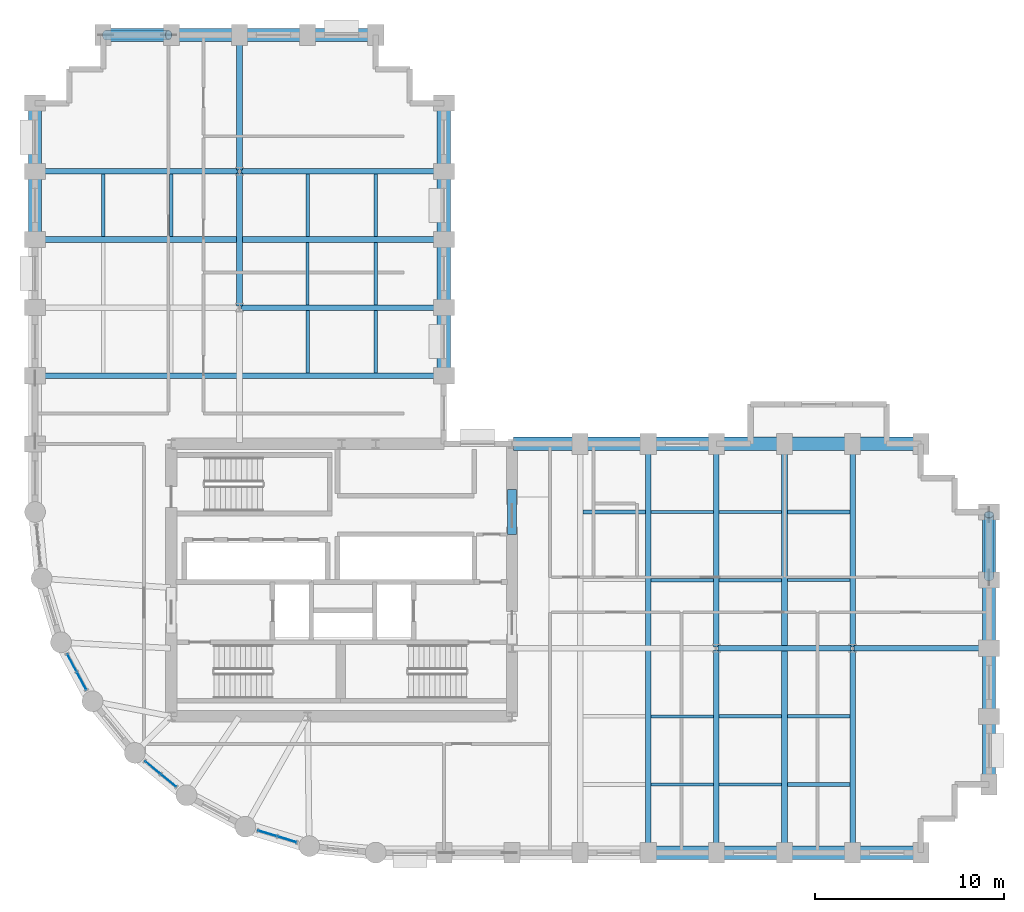
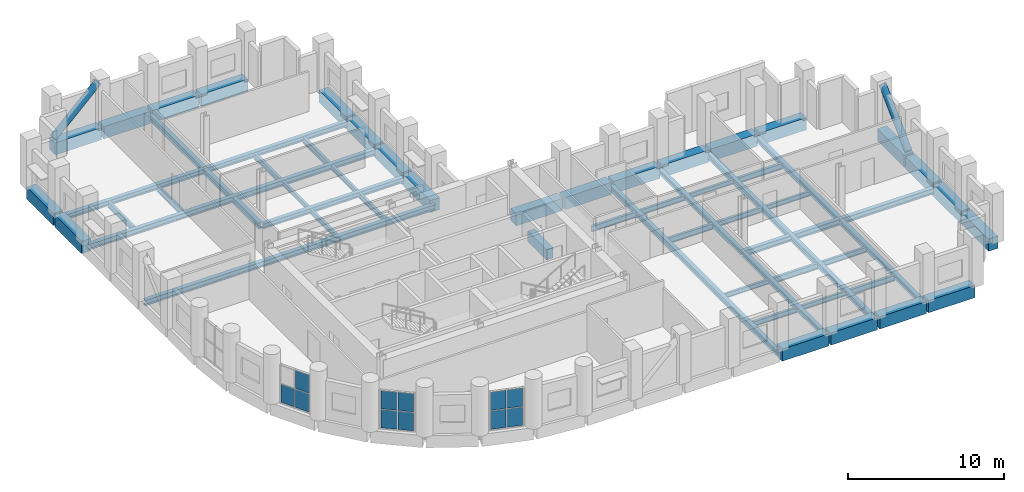
# One storey, part 6 of 13: 61 beams, 11 plates, 2 members, 3 elements without a shape of their own.
"""IFC4 building model written with IfcOpenShell, lengths in metres."""

from ifc_helpers import new_model, si_unit, direction, frame, origin, origin_2d, place, context, subcontext, project, spatial, rectangle, hollow_circle, i_section, extrude, material, layer, layer_set, material_profile, profile_set, type_object, element, aggregate, save


model = new_model("IFC4")

# Units and contexts
model_context = context("Model", 3, precision=1e-05, world=origin(), true_north=direction((0.0, 1.0)))
body_context = subcontext(model_context, "Body", "Model", "MODEL_VIEW")
ifc_project = project(units=[si_unit("LENGTHUNIT", "METRE"), si_unit("AREAUNIT", "SQUARE_METRE"), si_unit("VOLUMEUNIT", "CUBIC_METRE"), si_unit("PLANEANGLEUNIT", "RADIAN"), si_unit("MASSUNIT", "GRAM", prefix="KILO")], contexts=[model_context])

# Site, building, storey
site_placement = place(None, origin())
site = spatial("IfcSite", under=ifc_project, at=site_placement, CompositionType="ELEMENT")
building_placement = place(site_placement, origin())
building = spatial("IfcBuilding", under=site, at=building_placement, Name="Solnavia Interchange Tower", CompositionType="ELEMENT")
storey_placement = place(building_placement, frame((0.0, 0.0, 111.300048828125)))
storey = spatial("IfcBuildingStorey", under=building, at=storey_placement, Name="L27", CompositionType="ELEMENT", Elevation=111.300048828125)

# Beams
ifc_material_1 = material(Name="Concrete C50/60", Category="concrete")
ifc_material_profile_1 = material_profile(ifc_material_1, rectangle(XDim=0.5, YDim=0.800048828125, at=origin_2d()), Name="RC 500x800")
ifc_profile_set_1 = profile_set([ifc_material_profile_1], Name="Concrete C50/60")
beam_type_1 = type_object("IfcBeamType", Name="Beam-Coupling-RC500x800", PredefinedType="LINTEL", material=ifc_profile_set_1)
beam_1_placement = place(storey_placement, frame((32.39990234375, 20.39990234375, -0.400146484375), z_axis=(0.0, 1.0, 0.0), x_axis=(-1.0, 0.0, 0.0)))
element("IfcBeam", 1, at=beam_1_placement, inside=storey, type_object=beam_type_1, Name="CPB-L27-E2 Core coupling lintel beam", PredefinedType="LINTEL", context=body_context, shape_type="SweptSolid", body=[
    extrude(rectangle(XDim=0.5, YDim=0.800048828125, at=origin_2d()), origin(), (0.0, 0.0, 1.0), 2.400146484375),
])
ifc_material_2 = material(Name="Steel S460", Category="steel")
ifc_material_profile_2 = material_profile(ifc_material_2, i_section(OverallWidth=0.300048828125, OverallDepth=0.449951171875, WebThickness=0.013916015625, FlangeThickness=0.02587890625, FilletRadius=0.027099609375, at=origin_2d()), Name="HEB 450")
ifc_profile_set_2 = profile_set([ifc_material_profile_2], Name="Steel S460")
beam_type_2 = type_object("IfcBeamType", Name="Beam-Girder-HEB450", PredefinedType="BEAM", material=ifc_profile_set_2)
for number, where, z_axis, x_axis, name in (
    (2, (43.280029296875, 14.39990234375, -0.47509765625), (1.0, 0.0, 0.0), (0.0, 1.0, 0.0), "GRD-L27-ES02 East wing spine girder"),
    (3, (50.47998046875, 14.39990234375, -0.47509765625), (1.0, 0.0, 0.0), (0.0, 1.0, 0.0), "GRD-L27-ES03 East wing spine girder"),
    (4, (18.0, 32.47998046875, -0.47509765625), (0.0, 1.0, 0.0), (-1.0, 0.0, 0.0), "GRD-L27-NS12 North wing spine girder"),
    (5, (18.0, 39.679931640625, -0.47509765625), (0.0, 1.0, 0.0), (-1.0, 0.0, 0.0), "GRD-L27-NS13 North wing spine girder"),
):
    element("IfcBeam", number, at=place(storey_placement, frame(where, z_axis=z_axis, x_axis=x_axis)), inside=storey, type_object=beam_type_2, Name=name, PredefinedType="BEAM", context=body_context, shape_type="SweptSolid", body=[
        extrude(i_section(OverallWidth=0.300048828125, OverallDepth=0.449951171875, WebThickness=0.013916015625, FlangeThickness=0.02587890625, FilletRadius=0.027099609375, at=origin_2d()), origin(), (0.0, 0.0, 1.0), 7.0400390625),
    ])
ifc_material_3 = material(Name="Steel S355", Category="steel")
ifc_material_profile_3 = material_profile(ifc_material_3, i_section(OverallWidth=0.169921875, OverallDepth=0.360107421875, WebThickness=0.008056640625, FlangeThickness=0.0126953125, FilletRadius=0.01806640625, at=origin_2d()), Name="IPE 360")
ifc_profile_set_3 = profile_set([ifc_material_profile_3], Name="Steel S355")
beam_type_3 = type_object("IfcBeamType", Name="Beam-Joist-IPE360", PredefinedType="JOIST", material=ifc_profile_set_3)
beam_2_placement = place(storey_placement, frame((43.35009765625, 7.199951171875, -0.429931640625), z_axis=(1.0, 0.0, 0.0), x_axis=(0.0, 1.0, 0.0)))
element("IfcBeam", 6, at=beam_2_placement, inside=storey, type_object=beam_type_3, Name="JST-L27-E03 East wing secondary joist", PredefinedType="JOIST", context=body_context, shape_type="SweptSolid", body=[
    extrude(i_section(OverallWidth=0.169921875, OverallDepth=0.360107421875, WebThickness=0.008056640625, FlangeThickness=0.0126953125, FilletRadius=0.01806640625, at=origin_2d()), origin(), (0.0, 0.0, 1.0), 3.2998046875),
])
for number, where, z_axis, x_axis, name in (
    (7, (39.75, 10.800048828125, -0.429931640625), (1.0, 0.0, 0.0), (0.0, 1.0, 0.0), "JST-L27-E06 East wing secondary joist"),
    (8, (46.949951171875, 18.0, -0.429931640625), (1.0, 0.0, 0.0), (0.0, 1.0, 0.0), "JST-L27-E12 East wing secondary joist"),
):
    element("IfcBeam", number, at=place(storey_placement, frame(where, z_axis=z_axis, x_axis=x_axis)), inside=storey, type_object=beam_type_3, Name=name, PredefinedType="JOIST", context=body_context, shape_type="SweptSolid", body=[
        extrude(i_section(OverallWidth=0.169921875, OverallDepth=0.360107421875, WebThickness=0.008056640625, FlangeThickness=0.0126953125, FilletRadius=0.01806640625, at=origin_2d()), origin(), (0.0, 0.0, 1.0), 3.300048828125),
    ])
beam_3_placement = place(storey_placement, frame((43.35009765625, 21.60009765625, -0.429931640625), z_axis=(1.0, 0.0, 0.0), x_axis=(0.0, 1.0, 0.0)))
element("IfcBeam", 9, at=beam_3_placement, inside=storey, type_object=beam_type_3, Name="JST-L27-E15 East wing secondary joist", PredefinedType="JOIST", context=body_context, shape_type="SweptSolid", body=[
    extrude(i_section(OverallWidth=0.169921875, OverallDepth=0.360107421875, WebThickness=0.008056640625, FlangeThickness=0.0126953125, FilletRadius=0.01806640625, at=origin_2d()), origin(), (0.0, 0.0, 1.0), 3.2998046875),
])
for number, where, z_axis, x_axis, name in (
    (10, (21.60009765625, 32.550048828125, -0.429931640625), (0.0, 1.0, 0.0), (-1.0, 0.0, 0.0), "JST-L27-N24 North wing secondary joist"),
    (11, (25.199951171875, 32.550048828125, -0.429931640625), (0.0, 1.0, 0.0), (-1.0, 0.0, 0.0), "JST-L27-N27 North wing secondary joist"),
):
    element("IfcBeam", number, at=place(storey_placement, frame(where, z_axis=z_axis, x_axis=x_axis)), inside=storey, type_object=beam_type_3, Name=name, PredefinedType="JOIST", context=body_context, shape_type="SweptSolid", body=[
        extrude(i_section(OverallWidth=0.169921875, OverallDepth=0.360107421875, WebThickness=0.008056640625, FlangeThickness=0.0126953125, FilletRadius=0.01806640625, at=origin_2d()), origin(), (0.0, 0.0, 1.0), 3.300048828125),
    ])
ifc_material_profile_4 = material_profile(ifc_material_3, i_section(OverallWidth=0.179931640625, OverallDepth=0.39990234375, WebThickness=0.008544921875, FlangeThickness=0.013427734375, FilletRadius=0.02099609375, at=origin_2d()), Name="IPE 400")
ifc_profile_set_4 = profile_set([ifc_material_profile_4], Name="Steel S355")
beam_type_4 = type_object("IfcBeamType", Name="Beam-Joist-IPE400", PredefinedType="JOIST", material=ifc_profile_set_4)
for number, where, z_axis, x_axis, name in (
    (12, (39.75, 7.199951171875, -0.449951171875), (1.0, 0.0, 0.0), (0.0, 1.0, 0.0), "JST-L27-E02 East wing secondary joist"),
    (13, (46.949951171875, 10.800048828125, -0.449951171875), (1.0, 0.0, 0.0), (0.0, 1.0, 0.0), "JST-L27-E08 East wing secondary joist"),
):
    element("IfcBeam", number, at=place(storey_placement, frame(where, z_axis=z_axis, x_axis=x_axis)), inside=storey, type_object=beam_type_4, Name=name, PredefinedType="JOIST", context=body_context, shape_type="SweptSolid", body=[
        extrude(i_section(OverallWidth=0.179931640625, OverallDepth=0.39990234375, WebThickness=0.008544921875, FlangeThickness=0.013427734375, FilletRadius=0.02099609375, at=origin_2d()), origin(), (0.0, 0.0, 1.0), 3.300048828125),
    ])
beam_4_placement = place(storey_placement, frame((43.35009765625, 18.0, -0.449951171875), z_axis=(1.0, 0.0, 0.0), x_axis=(0.0, 1.0, 0.0)))
element("IfcBeam", 14, at=beam_4_placement, inside=storey, type_object=beam_type_4, Name="JST-L27-E11 East wing secondary joist", PredefinedType="JOIST", context=body_context, shape_type="SweptSolid", body=[
    extrude(i_section(OverallWidth=0.179931640625, OverallDepth=0.39990234375, WebThickness=0.008544921875, FlangeThickness=0.013427734375, FilletRadius=0.02099609375, at=origin_2d()), origin(), (0.0, 0.0, 1.0), 3.2998046875),
])
for number, where, z_axis, x_axis, name in (
    (15, (39.75, 21.60009765625, -0.449951171875), (1.0, 0.0, 0.0), (0.0, 1.0, 0.0), "JST-L27-E14 East wing secondary joist"),
    (16, (21.60009765625, 28.949951171875, -0.449951171875), (0.0, 1.0, 0.0), (-1.0, 0.0, 0.0), "JST-L27-N23 North wing secondary joist"),
    (17, (25.199951171875, 28.949951171875, -0.449951171875), (0.0, 1.0, 0.0), (-1.0, 0.0, 0.0), "JST-L27-N26 North wing secondary joist"),
):
    element("IfcBeam", number, at=place(storey_placement, frame(where, z_axis=z_axis, x_axis=x_axis)), inside=storey, type_object=beam_type_4, Name=name, PredefinedType="JOIST", context=body_context, shape_type="SweptSolid", body=[
        extrude(i_section(OverallWidth=0.179931640625, OverallDepth=0.39990234375, WebThickness=0.008544921875, FlangeThickness=0.013427734375, FilletRadius=0.02099609375, at=origin_2d()), origin(), (0.0, 0.0, 1.0), 3.300048828125),
    ])
ifc_material_profile_5 = material_profile(ifc_material_3, i_section(OverallWidth=0.18994140625, OverallDepth=0.449951171875, WebThickness=0.009521484375, FlangeThickness=0.0146484375, FilletRadius=0.02099609375, at=origin_2d()), Name="IPE 450")
ifc_profile_set_5 = profile_set([ifc_material_profile_5], Name="Steel S355")
beam_type_5 = type_object("IfcBeamType", Name="Beam-Joist-IPE450", PredefinedType="JOIST", material=ifc_profile_set_5)
beam_5_placement = place(storey_placement, frame((46.949951171875, 7.199951171875, -0.47509765625), z_axis=(1.0, 0.0, 0.0), x_axis=(0.0, 1.0, 0.0)))
element("IfcBeam", 18, at=beam_5_placement, inside=storey, type_object=beam_type_5, Name="JST-L27-E04 East wing secondary joist", PredefinedType="JOIST", context=body_context, shape_type="SweptSolid", body=[
    extrude(i_section(OverallWidth=0.18994140625, OverallDepth=0.449951171875, WebThickness=0.009521484375, FlangeThickness=0.0146484375, FilletRadius=0.02099609375, at=origin_2d()), origin(), (0.0, 0.0, 1.0), 3.300048828125),
])
beam_6_placement = place(storey_placement, frame((43.35009765625, 10.800048828125, -0.47509765625), z_axis=(1.0, 0.0, 0.0), x_axis=(0.0, 1.0, 0.0)))
element("IfcBeam", 19, at=beam_6_placement, inside=storey, type_object=beam_type_5, Name="JST-L27-E07 East wing secondary joist", PredefinedType="JOIST", context=body_context, shape_type="SweptSolid", body=[
    extrude(i_section(OverallWidth=0.18994140625, OverallDepth=0.449951171875, WebThickness=0.009521484375, FlangeThickness=0.0146484375, FilletRadius=0.02099609375, at=origin_2d()), origin(), (0.0, 0.0, 1.0), 3.2998046875),
])
for number, where, z_axis, x_axis, name in (
    (20, (39.75, 18.0, -0.47509765625), (1.0, 0.0, 0.0), (0.0, 1.0, 0.0), "JST-L27-E10 East wing secondary joist"),
    (21, (36.14990234375, 21.60009765625, -0.47509765625), (1.0, 0.0, 0.0), (0.0, 1.0, 0.0), "JST-L27-E13 East wing secondary joist"),
    (22, (46.949951171875, 21.60009765625, -0.47509765625), (1.0, 0.0, 0.0), (0.0, 1.0, 0.0), "JST-L27-E16 East wing secondary joist"),
    (23, (10.800048828125, 36.14990234375, -0.47509765625), (0.0, 1.0, 0.0), (-1.0, 0.0, 0.0), "JST-L27-N19 North wing secondary joist"),
    (24, (14.39990234375, 36.14990234375, -0.47509765625), (0.0, 1.0, 0.0), (-1.0, 0.0, 0.0), "JST-L27-N22 North wing secondary joist"),
    (25, (21.60009765625, 36.14990234375, -0.47509765625), (0.0, 1.0, 0.0), (-1.0, 0.0, 0.0), "JST-L27-N25 North wing secondary joist"),
    (26, (25.199951171875, 36.14990234375, -0.47509765625), (0.0, 1.0, 0.0), (-1.0, 0.0, 0.0), "JST-L27-N28 North wing secondary joist"),
):
    element("IfcBeam", number, at=place(storey_placement, frame(where, z_axis=z_axis, x_axis=x_axis)), inside=storey, type_object=beam_type_5, Name=name, PredefinedType="JOIST", context=body_context, shape_type="SweptSolid", body=[
        extrude(i_section(OverallWidth=0.18994140625, OverallDepth=0.449951171875, WebThickness=0.009521484375, FlangeThickness=0.0146484375, FilletRadius=0.02099609375, at=origin_2d()), origin(), (0.0, 0.0, 1.0), 3.300048828125),
    ])
ifc_material_profile_6 = material_profile(ifc_material_3, i_section(OverallWidth=0.300048828125, OverallDepth=0.389892578125, WebThickness=0.010986328125, FlangeThickness=0.01904296875, FilletRadius=0.027099609375, at=origin_2d()), Name="HEA 400")
ifc_profile_set_6 = profile_set([ifc_material_profile_6], Name="Steel S355")
beam_type_6 = type_object("IfcBeamType", Name="Beam-Primary-HEA400", PredefinedType="BEAM", material=ifc_profile_set_6)
for number, where, z_axis, x_axis, name in (
    (27, (43.199951171875, 3.679931640625, -0.445068359375), (0.0, 1.0, 0.0), (-1.0, 0.0, 0.0), "GRD-L27-EW06 East wing primary floor girder"),
    (28, (43.199951171875, 14.47998046875, -0.445068359375), (0.0, 1.0, 0.0), (-1.0, 0.0, 0.0), "GRD-L27-EW07 East wing primary floor girder"),
    (29, (50.39990234375, 3.679931640625, -0.445068359375), (0.0, 1.0, 0.0), (-1.0, 0.0, 0.0), "GRD-L27-EW09 East wing primary floor girder"),
    (30, (50.39990234375, 14.47998046875, -0.445068359375), (0.0, 1.0, 0.0), (-1.0, 0.0, 0.0), "GRD-L27-EW10 East wing primary floor girder"),
):
    element("IfcBeam", number, at=place(storey_placement, frame(where, z_axis=z_axis, x_axis=x_axis)), inside=storey, type_object=beam_type_6, Name=name, PredefinedType="BEAM", context=body_context, shape_type="SweptSolid", body=[
        extrude(i_section(OverallWidth=0.300048828125, OverallDepth=0.389892578125, WebThickness=0.010986328125, FlangeThickness=0.01904296875, FilletRadius=0.027099609375, at=origin_2d()), origin(), (0.0, 0.0, 1.0), 10.64013671875),
    ])
for number, where, z_axis, x_axis, name in (
    (31, (18.080078125, 32.39990234375, -0.445068359375), (1.0, 0.0, 0.0), (0.0, 1.0, 0.0), "GRD-L27-NW16 North wing primary floor girder"),
    (32, (7.280029296875, 39.60009765625, -0.445068359375), (1.0, 0.0, 0.0), (0.0, 1.0, 0.0), "GRD-L27-NW18 North wing primary floor girder"),
    (33, (18.080078125, 39.60009765625, -0.445068359375), (1.0, 0.0, 0.0), (0.0, 1.0, 0.0), "GRD-L27-NW19 North wing primary floor girder"),
):
    element("IfcBeam", number, at=place(storey_placement, frame(where, z_axis=z_axis, x_axis=x_axis)), inside=storey, type_object=beam_type_6, Name=name, PredefinedType="BEAM", context=body_context, shape_type="SweptSolid", body=[
        extrude(i_section(OverallWidth=0.300048828125, OverallDepth=0.389892578125, WebThickness=0.010986328125, FlangeThickness=0.01904296875, FilletRadius=0.027099609375, at=origin_2d()), origin(), (0.0, 0.0, 1.0), 10.639892578125),
    ])
ifc_material_profile_7 = material_profile(ifc_material_3, i_section(OverallWidth=0.300048828125, OverallDepth=0.43994140625, WebThickness=0.011474609375, FlangeThickness=0.02099609375, FilletRadius=0.027099609375, at=origin_2d()), Name="HEA 450")
ifc_profile_set_7 = profile_set([ifc_material_profile_7], Name="Steel S355")
beam_type_7 = type_object("IfcBeamType", Name="Beam-Primary-HEA450", PredefinedType="BEAM", material=ifc_profile_set_7)
for number, where, z_axis, x_axis, name in (
    (34, (39.60009765625, 3.679931640625, -0.469970703125), (0.0, 1.0, 0.0), (-1.0, 0.0, 0.0), "GRD-L27-EW05 East wing primary floor girder"),
    (35, (46.800048828125, 3.679931640625, -0.469970703125), (0.0, 1.0, 0.0), (-1.0, 0.0, 0.0), "GRD-L27-EW08 East wing primary floor girder"),
):
    element("IfcBeam", number, at=place(storey_placement, frame(where, z_axis=z_axis, x_axis=x_axis)), inside=storey, type_object=beam_type_7, Name=name, PredefinedType="BEAM", context=body_context, shape_type="SweptSolid", body=[
        extrude(i_section(OverallWidth=0.300048828125, OverallDepth=0.43994140625, WebThickness=0.011474609375, FlangeThickness=0.02099609375, FilletRadius=0.027099609375, at=origin_2d()), origin(), (0.0, 0.0, 1.0), 21.440185546875),
    ])
for number, where, z_axis, x_axis, name in (
    (36, (7.280029296875, 28.800048828125, -0.469970703125), (1.0, 0.0, 0.0), (0.0, 1.0, 0.0), "GRD-L27-NW14 North wing primary floor girder"),
    (37, (7.280029296875, 36.0, -0.469970703125), (1.0, 0.0, 0.0), (0.0, 1.0, 0.0), "GRD-L27-NW17 North wing primary floor girder"),
):
    element("IfcBeam", number, at=place(storey_placement, frame(where, z_axis=z_axis, x_axis=x_axis)), inside=storey, type_object=beam_type_7, Name=name, PredefinedType="BEAM", context=body_context, shape_type="SweptSolid", body=[
        extrude(i_section(OverallWidth=0.300048828125, OverallDepth=0.43994140625, WebThickness=0.011474609375, FlangeThickness=0.02099609375, FilletRadius=0.027099609375, at=origin_2d()), origin(), (0.0, 0.0, 1.0), 21.43994140625),
    ])
ifc_material_profile_8 = material_profile(ifc_material_1, rectangle(XDim=0.699951171875, YDim=0.949951171875, at=origin_2d()), Name="RC 700x950")
ifc_profile_set_8 = profile_set([ifc_material_profile_8], Name="Concrete C50/60")
beam_type_8 = type_object("IfcBeamType", Name="Beam-Spandrel-RC700x950", PredefinedType="SPANDREL", material=ifc_profile_set_8)
beam_7_placement = place(storey_placement, frame((39.679931640625, 3.60009765625, -0.47509765625), z_axis=(1.0, 0.0, 0.0), x_axis=(0.0, 1.0, 0.0)))
element("IfcBeam", 38, at=beam_7_placement, inside=storey, type_object=beam_type_8, Name="SPB-L27-13 Framed-tube perimeter spandrel beam", PredefinedType="SPANDREL", context=body_context, shape_type="SweptSolid", body=[
    extrude(rectangle(XDim=0.699951171875, YDim=0.949951171875, at=origin_2d()), origin(), (0.0, 0.0, 1.0), 3.440185546875),
])
beam_8_placement = place(storey_placement, frame((43.280029296875, 3.60009765625, -0.47509765625), z_axis=(1.0, 0.0, 0.0), x_axis=(0.0, 1.0, 0.0)))
element("IfcBeam", 39, at=beam_8_placement, inside=storey, type_object=beam_type_8, Name="SPB-L27-14 Framed-tube perimeter spandrel beam", PredefinedType="SPANDREL", context=body_context, shape_type="SweptSolid", body=[
    extrude(rectangle(XDim=0.699951171875, YDim=0.949951171875, at=origin_2d()), origin(), (0.0, 0.0, 1.0), 3.43994140625),
])
beam_9_placement = place(storey_placement, frame((46.8798828125, 3.60009765625, -0.47509765625), z_axis=(1.0, 0.0, 0.0), x_axis=(0.0, 1.0, 0.0)))
element("IfcBeam", 40, at=beam_9_placement, inside=storey, type_object=beam_type_8, Name="SPB-L27-15 Framed-tube perimeter spandrel beam", PredefinedType="SPANDREL", context=body_context, shape_type="SweptSolid", body=[
    extrude(rectangle(XDim=0.699951171875, YDim=0.949951171875, at=origin_2d()), origin(), (0.0, 0.0, 1.0), 3.440185546875),
])
for number, where, z_axis, x_axis, name in (
    (41, (50.47998046875, 3.60009765625, -0.47509765625), (1.0, 0.0, 0.0), (0.0, 1.0, 0.0), "SPB-L27-16 Framed-tube perimeter spandrel beam"),
    (42, (57.60009765625, 7.280029296875, -0.47509765625), (0.0, 1.0, 0.0), (-1.0, 0.0, 0.0), "SPB-L27-17 Framed-tube perimeter spandrel beam"),
):
    element("IfcBeam", number, at=place(storey_placement, frame(where, z_axis=z_axis, x_axis=x_axis)), inside=storey, type_object=beam_type_8, Name=name, PredefinedType="SPANDREL", context=body_context, shape_type="SweptSolid", body=[
        extrude(rectangle(XDim=0.699951171875, YDim=0.949951171875, at=origin_2d()), origin(), (0.0, 0.0, 1.0), 3.43994140625),
    ])
beam_10_placement = place(storey_placement, frame((57.60009765625, 10.8798828125, -0.47509765625), z_axis=(0.0, 1.0, 0.0), x_axis=(-1.0, 0.0, 0.0)))
element("IfcBeam", 43, at=beam_10_placement, inside=storey, type_object=beam_type_8, Name="SPB-L27-18 Framed-tube perimeter spandrel beam", PredefinedType="SPANDREL", context=body_context, shape_type="SweptSolid", body=[
    extrude(rectangle(XDim=0.699951171875, YDim=0.949951171875, at=origin_2d()), origin(), (0.0, 0.0, 1.0), 3.440185546875),
])
for number, where, z_axis, x_axis, name in (
    (44, (57.60009765625, 14.47998046875, -0.47509765625), (0.0, 1.0, 0.0), (-1.0, 0.0, 0.0), "SPB-L27-19 Framed-tube perimeter spandrel beam"),
    (45, (57.60009765625, 18.080078125, -0.47509765625), (0.0, 1.0, 0.0), (-1.0, 0.0, 0.0), "SPB-L27-20 Framed-tube perimeter spandrel beam"),
    (46, (53.919921875, 25.199951171875, -0.47509765625), (-1.0, 0.0, 0.0), (0.0, -1.0, 0.0), "SPB-L27-21 Framed-tube perimeter spandrel beam"),
):
    element("IfcBeam", number, at=place(storey_placement, frame(where, z_axis=z_axis, x_axis=x_axis)), inside=storey, type_object=beam_type_8, Name=name, PredefinedType="SPANDREL", context=body_context, shape_type="SweptSolid", body=[
        extrude(rectangle(XDim=0.699951171875, YDim=0.949951171875, at=origin_2d()), origin(), (0.0, 0.0, 1.0), 3.43994140625),
    ])
beam_11_placement = place(storey_placement, frame((50.320068359375, 25.199951171875, -0.47509765625), z_axis=(-1.0, 0.0, 0.0), x_axis=(0.0, -1.0, 0.0)))
element("IfcBeam", 47, at=beam_11_placement, inside=storey, type_object=beam_type_8, Name="SPB-L27-22 Framed-tube perimeter spandrel beam", PredefinedType="SPANDREL", context=body_context, shape_type="SweptSolid", body=[
    extrude(rectangle(XDim=0.699951171875, YDim=0.949951171875, at=origin_2d()), origin(), (0.0, 0.0, 1.0), 3.440185546875),
])
beam_12_placement = place(storey_placement, frame((46.719970703125, 25.199951171875, -0.47509765625), z_axis=(-1.0, 0.0, 0.0), x_axis=(0.0, -1.0, 0.0)))
element("IfcBeam", 48, at=beam_12_placement, inside=storey, type_object=beam_type_8, Name="SPB-L27-23 Framed-tube perimeter spandrel beam", PredefinedType="SPANDREL", context=body_context, shape_type="SweptSolid", body=[
    extrude(rectangle(XDim=0.699951171875, YDim=0.949951171875, at=origin_2d()), origin(), (0.0, 0.0, 1.0), 3.43994140625),
])
beam_13_placement = place(storey_placement, frame((43.1201171875, 25.199951171875, -0.47509765625), z_axis=(-1.0, 0.0, 0.0), x_axis=(0.0, -1.0, 0.0)))
element("IfcBeam", 49, at=beam_13_placement, inside=storey, type_object=beam_type_8, Name="SPB-L27-24 Framed-tube perimeter spandrel beam", PredefinedType="SPANDREL", context=body_context, shape_type="SweptSolid", body=[
    extrude(rectangle(XDim=0.699951171875, YDim=0.949951171875, at=origin_2d()), origin(), (0.0, 0.0, 1.0), 3.440185546875),
])
for number, where, z_axis, x_axis, name in (
    (50, (39.52001953125, 25.199951171875, -0.47509765625), (-1.0, 0.0, 0.0), (0.0, -1.0, 0.0), "SPB-L27-25 Framed-tube perimeter spandrel beam"),
    (51, (35.919921875, 25.199951171875, -0.47509765625), (-1.0, 0.0, 0.0), (0.0, -1.0, 0.0), "SPB-L27-26 Framed-tube perimeter spandrel beam"),
):
    element("IfcBeam", number, at=place(storey_placement, frame(where, z_axis=z_axis, x_axis=x_axis)), inside=storey, type_object=beam_type_8, Name=name, PredefinedType="SPANDREL", context=body_context, shape_type="SweptSolid", body=[
        extrude(rectangle(XDim=0.699951171875, YDim=0.949951171875, at=origin_2d()), origin(), (0.0, 0.0, 1.0), 3.43994140625),
    ])
beam_14_placement = place(storey_placement, frame((28.800048828125, 28.8798828125, -0.47509765625), z_axis=(0.0, 1.0, 0.0), x_axis=(-1.0, 0.0, 0.0)))
element("IfcBeam", 52, at=beam_14_placement, inside=storey, type_object=beam_type_8, Name="SPB-L27-27 Framed-tube perimeter spandrel beam", PredefinedType="SPANDREL", context=body_context, shape_type="SweptSolid", body=[
    extrude(rectangle(XDim=0.699951171875, YDim=0.949951171875, at=origin_2d()), origin(), (0.0, 0.0, 1.0), 3.440185546875),
])
for number, where, z_axis, x_axis, name in (
    (53, (28.800048828125, 32.47998046875, -0.47509765625), (0.0, 1.0, 0.0), (-1.0, 0.0, 0.0), "SPB-L27-28 Framed-tube perimeter spandrel beam"),
    (54, (28.800048828125, 36.080078125, -0.47509765625), (0.0, 1.0, 0.0), (-1.0, 0.0, 0.0), "SPB-L27-29 Framed-tube perimeter spandrel beam"),
):
    element("IfcBeam", number, at=place(storey_placement, frame(where, z_axis=z_axis, x_axis=x_axis)), inside=storey, type_object=beam_type_8, Name=name, PredefinedType="SPANDREL", context=body_context, shape_type="SweptSolid", body=[
        extrude(rectangle(XDim=0.699951171875, YDim=0.949951171875, at=origin_2d()), origin(), (0.0, 0.0, 1.0), 3.43994140625),
    ])
for number, where, z_axis, x_axis, name in (
    (55, (28.800048828125, 39.679931640625, -0.47509765625), (0.0, 1.0, 0.0), (-1.0, 0.0, 0.0), "SPB-L27-30 Framed-tube perimeter spandrel beam"),
    (56, (25.1201171875, 46.800048828125, -0.47509765625), (-1.0, 0.0, 0.0), (0.0, -1.0, 0.0), "SPB-L27-31 Framed-tube perimeter spandrel beam"),
):
    element("IfcBeam", number, at=place(storey_placement, frame(where, z_axis=z_axis, x_axis=x_axis)), inside=storey, type_object=beam_type_8, Name=name, PredefinedType="SPANDREL", context=body_context, shape_type="SweptSolid", body=[
        extrude(rectangle(XDim=0.699951171875, YDim=0.949951171875, at=origin_2d()), origin(), (0.0, 0.0, 1.0), 3.440185546875),
    ])
for number, where, z_axis, x_axis, name in (
    (57, (21.52001953125, 46.800048828125, -0.47509765625), (-1.0, 0.0, 0.0), (0.0, -1.0, 0.0), "SPB-L27-32 Framed-tube perimeter spandrel beam"),
    (58, (17.919921875, 46.800048828125, -0.47509765625), (-1.0, 0.0, 0.0), (0.0, -1.0, 0.0), "SPB-L27-33 Framed-tube perimeter spandrel beam"),
):
    element("IfcBeam", number, at=place(storey_placement, frame(where, z_axis=z_axis, x_axis=x_axis)), inside=storey, type_object=beam_type_8, Name=name, PredefinedType="SPANDREL", context=body_context, shape_type="SweptSolid", body=[
        extrude(rectangle(XDim=0.699951171875, YDim=0.949951171875, at=origin_2d()), origin(), (0.0, 0.0, 1.0), 3.43994140625),
    ])
for number, where, z_axis, x_axis, name in (
    (59, (14.320068359375, 46.800048828125, -0.47509765625), (-1.0, 0.0, 0.0), (0.0, -1.0, 0.0), "SPB-L27-34 Framed-tube perimeter spandrel beam"),
    (60, (7.199951171875, 43.1201171875, -0.47509765625), (0.0, -1.0, 0.0), (1.0, 0.0, 0.0), "SPB-L27-35 Framed-tube perimeter spandrel beam"),
):
    element("IfcBeam", number, at=place(storey_placement, frame(where, z_axis=z_axis, x_axis=x_axis)), inside=storey, type_object=beam_type_8, Name=name, PredefinedType="SPANDREL", context=body_context, shape_type="SweptSolid", body=[
        extrude(rectangle(XDim=0.699951171875, YDim=0.949951171875, at=origin_2d()), origin(), (0.0, 0.0, 1.0), 3.440185546875),
    ])
beam_15_placement = place(storey_placement, frame((7.199951171875, 39.52001953125, -0.47509765625), z_axis=(0.0, -1.0, 0.0), x_axis=(1.0, 0.0, 0.0)))
element("IfcBeam", 61, at=beam_15_placement, inside=storey, type_object=beam_type_8, Name="SPB-L27-36 Framed-tube perimeter spandrel beam", PredefinedType="SPANDREL", context=body_context, shape_type="SweptSolid", body=[
    extrude(rectangle(XDim=0.699951171875, YDim=0.949951171875, at=origin_2d()), origin(), (0.0, 0.0, 1.0), 3.43994140625),
])

# Members
ifc_material_profile_9 = material_profile(ifc_material_2, hollow_circle(Radius=0.25390625, WallThickness=0.02490234375, at=origin_2d()), Name="CHS 508x25")
ifc_profile_set_9 = profile_set([ifc_material_profile_9], Name="Steel S460")
member_type = type_object("IfcMemberType", Name="Brace-Perim-CHS508", PredefinedType="BRACE", material=ifc_profile_set_9)
for number, where, z_axis, x_axis, name in (
    (62, (57.60009765625, 18.139892578125, 0.179931640625), (0.0, 0.717845231304, 0.696202717528), (-1.0, 0.0, 0.0), "BRC-L27-03 Perimeter tube diagonal brace"),
    (63, (10.93994140625, 46.800048828125, 0.179931640625), (0.717845231304, 0.0, 0.696202717528), (0.0, 1.0, 0.0), "BRC-L27-04 Perimeter tube diagonal brace"),
):
    element("IfcMember", number, at=place(storey_placement, frame(where, z_axis=z_axis, x_axis=x_axis)), inside=storey, type_object=member_type, Name=name, PredefinedType="BRACE", context=body_context, shape_type="SweptSolid", body=[
        extrude(hollow_circle(Radius=0.25390625, WallThickness=0.02490234375, at=origin_2d()), origin(), (0.0, 0.0, 1.0), 4.625),
    ])

# Curtain wall, plates
ifc_material_4 = material(Name="Aluminium Alloy 6063-T6", Category="aluminium")
ifc_layer_1 = layer(ifc_material_4, 0.239990234375)
ifc_layer_set_1 = layer_set([ifc_layer_1], Name="Aluminium Alloy 6063-T6")
curtain_wall_type = type_object("IfcCurtainWallType", Name="CurtainWall-Drum-CTW2", PredefinedType="NOTDEFINED", material=ifc_layer_set_1)
curtain_wall_1_placement = place(storey_placement, origin())
curtain_wall_1 = element("IfcCurtainWall", 64, at=curtain_wall_1_placement, inside=storey, type_object=curtain_wall_type, Name="CTW-L27-D57 CTW-2 curtain wall", PredefinedType="NOTDEFINED")
ifc_material_5 = material(Name="Double-Glazed Low-E IGU Glass", Category="glass")
ifc_layer_2 = layer(ifc_material_5, 0.031982421875)
ifc_layer_set_2 = layer_set([ifc_layer_2], Name="Double-Glazed Low-E IGU Glass")
plate_type = type_object("IfcPlateType", Name="CW-Panel-Solar-32", PredefinedType="CURTAIN_PANEL", material=ifc_layer_set_2)
plate_1_placement = place(storey_placement, frame((9.14501953125, 13.636474609375, 0.06494140625), z_axis=(0.0, 0.0, 1.0), x_axis=(0.471536719402, -0.881846427818, 0.0)))
plate_1 = element("IfcPlate", 65, at=plate_1_placement, type_object=plate_type, Name="CTW-2 panel 1.1", PredefinedType="CURTAIN_PANEL", context=body_context, shape_type="SweptSolid", body=[
    extrude(rectangle(XDim=1.014404296875, YDim=0.031982421875, at=origin_2d()), origin(), (0.0, 0.0, 1.0), 1.41748046875),
])
plate_2_placement = place(storey_placement, frame((9.658935546875, 12.675537109375, 0.06494140625), z_axis=(0.0, 0.0, 1.0), x_axis=(0.471536719402, -0.881846427818, 0.0)))
plate_2 = element("IfcPlate", 66, at=plate_2_placement, type_object=plate_type, Name="CTW-2 panel 2.1", PredefinedType="CURTAIN_PANEL", context=body_context, shape_type="SweptSolid", body=[
    extrude(rectangle(XDim=1.014404296875, YDim=0.031982421875, at=origin_2d()), origin(), (0.0, 0.0, 1.0), 1.41748046875),
])
plate_3_placement = place(storey_placement, frame((9.658935546875, 12.675537109375, 1.54736328125), z_axis=(0.0, 0.0, 1.0), x_axis=(0.471536719402, -0.881846427818, 0.0)))
plate_3 = element("IfcPlate", 67, at=plate_3_placement, type_object=plate_type, Name="CTW-2 panel 2.2", PredefinedType="CURTAIN_PANEL", context=body_context, shape_type="SweptSolid", body=[
    extrude(rectangle(XDim=1.014404296875, YDim=0.031982421875, at=origin_2d()), origin(), (0.0, 0.0, 1.0), 1.41748046875),
])
aggregate(curtain_wall_1, [plate_1, plate_2, plate_3])

curtain_wall_2_placement = place(storey_placement, origin())
curtain_wall_2 = element("IfcCurtainWall", 68, at=curtain_wall_2_placement, inside=storey, type_object=curtain_wall_type, Name="CTW-L27-D59 CTW-2 curtain wall", PredefinedType="NOTDEFINED")
plate_4_placement = place(storey_placement, frame((13.4150390625, 8.098388671875, 0.06494140625), z_axis=(0.0, 0.0, 1.0), x_axis=(0.773094572227, -0.634290771172, 0.0)))
plate_4 = element("IfcPlate", 69, at=plate_4_placement, type_object=plate_type, Name="CTW-2 panel 1.1", PredefinedType="CURTAIN_PANEL", context=body_context, shape_type="SweptSolid", body=[
    extrude(rectangle(XDim=1.01416015625, YDim=0.031982421875, at=origin_2d()), origin(), (0.0, 0.0, 1.0), 1.41748046875),
])
plate_5_placement = place(storey_placement, frame((13.4150390625, 8.098388671875, 1.54736328125), z_axis=(0.0, 0.0, 1.0), x_axis=(0.773094572227, -0.634290771172, 0.0)))
plate_5 = element("IfcPlate", 70, at=plate_5_placement, type_object=plate_type, Name="CTW-2 panel 1.2", PredefinedType="CURTAIN_PANEL", context=body_context, shape_type="SweptSolid", body=[
    extrude(rectangle(XDim=1.01416015625, YDim=0.031982421875, at=origin_2d()), origin(), (0.0, 0.0, 1.0), 1.41748046875),
])
plate_6_placement = place(storey_placement, frame((14.257080078125, 7.407470703125, 0.06494140625), z_axis=(0.0, 0.0, 1.0), x_axis=(0.773094572227, -0.634290771172, 0.0)))
plate_6 = element("IfcPlate", 71, at=plate_6_placement, type_object=plate_type, Name="CTW-2 panel 2.1", PredefinedType="CURTAIN_PANEL", context=body_context, shape_type="SweptSolid", body=[
    extrude(rectangle(XDim=1.01416015625, YDim=0.031982421875, at=origin_2d()), origin(), (0.0, 0.0, 1.0), 1.41748046875),
])
plate_7_placement = place(storey_placement, frame((14.257080078125, 7.407470703125, 1.54736328125), z_axis=(0.0, 0.0, 1.0), x_axis=(0.773094572227, -0.634290771172, 0.0)))
plate_7 = element("IfcPlate", 72, at=plate_7_placement, type_object=plate_type, Name="CTW-2 panel 2.2", PredefinedType="CURTAIN_PANEL", context=body_context, shape_type="SweptSolid", body=[
    extrude(rectangle(XDim=1.01416015625, YDim=0.031982421875, at=origin_2d()), origin(), (0.0, 0.0, 1.0), 1.41748046875),
])
aggregate(curtain_wall_2, [plate_4, plate_5, plate_6, plate_7])

curtain_wall_3_placement = place(storey_placement, origin())
curtain_wall_3 = element("IfcCurtainWall", 73, at=curtain_wall_3_placement, inside=storey, type_object=curtain_wall_type, Name="CTW-L27-D61 CTW-2 curtain wall", PredefinedType="NOTDEFINED")
plate_8_placement = place(storey_placement, frame((19.47900390625, 4.615966796875, 0.06494140625), z_axis=(0.0, 0.0, 1.0), x_axis=(0.956934759739, -0.290303058206, 0.0)))
plate_8 = element("IfcPlate", 74, at=plate_8_placement, type_object=plate_type, Name="CTW-2 panel 1.1", PredefinedType="CURTAIN_PANEL", context=body_context, shape_type="SweptSolid", body=[
    extrude(rectangle(XDim=1.013916015625, YDim=0.031982421875, at=origin_2d()), origin(), (0.0, 0.0, 1.0), 1.41748046875),
])
plate_9_placement = place(storey_placement, frame((19.47900390625, 4.615966796875, 1.54736328125), z_axis=(0.0, 0.0, 1.0), x_axis=(0.956934759739, -0.290303058206, 0.0)))
plate_9 = element("IfcPlate", 75, at=plate_9_placement, type_object=plate_type, Name="CTW-2 panel 1.2", PredefinedType="CURTAIN_PANEL", context=body_context, shape_type="SweptSolid", body=[
    extrude(rectangle(XDim=1.013916015625, YDim=0.031982421875, at=origin_2d()), origin(), (0.0, 0.0, 1.0), 1.41748046875),
])
plate_10_placement = place(storey_placement, frame((20.52099609375, 4.300048828125, 0.06494140625), z_axis=(0.0, 0.0, 1.0), x_axis=(0.956934759739, -0.290303058206, 0.0)))
plate_10 = element("IfcPlate", 76, at=plate_10_placement, type_object=plate_type, Name="CTW-2 panel 2.1", PredefinedType="CURTAIN_PANEL", context=body_context, shape_type="SweptSolid", body=[
    extrude(rectangle(XDim=1.013916015625, YDim=0.031982421875, at=origin_2d()), origin(), (0.0, 0.0, 1.0), 1.41748046875),
])
plate_11_placement = place(storey_placement, frame((20.52099609375, 4.300048828125, 1.54736328125), z_axis=(0.0, 0.0, 1.0), x_axis=(0.956934759739, -0.290303058206, 0.0)))
plate_11 = element("IfcPlate", 77, at=plate_11_placement, type_object=plate_type, Name="CTW-2 panel 2.2", PredefinedType="CURTAIN_PANEL", context=body_context, shape_type="SweptSolid", body=[
    extrude(rectangle(XDim=1.013916015625, YDim=0.031982421875, at=origin_2d()), origin(), (0.0, 0.0, 1.0), 1.41748046875),
])
aggregate(curtain_wall_3, [plate_8, plate_9, plate_10, plate_11])

save(model, "model.ifc")
